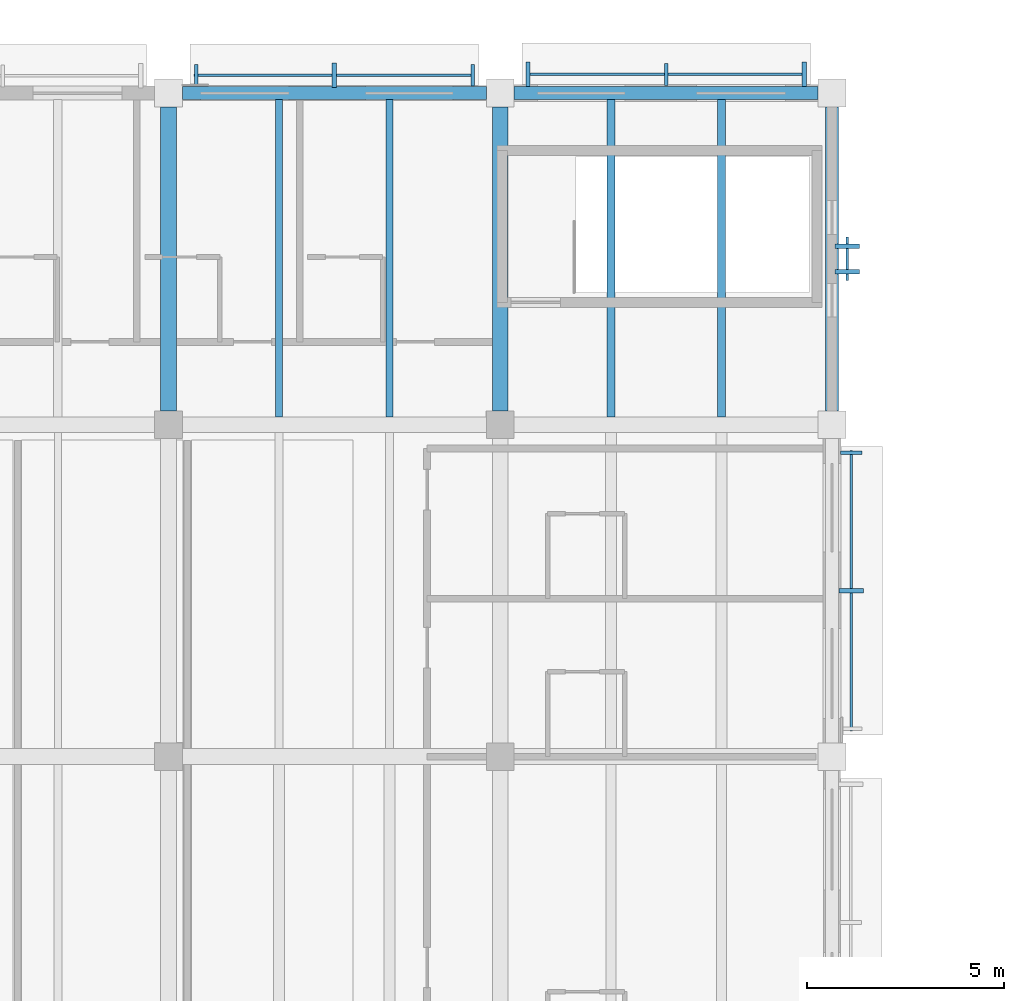
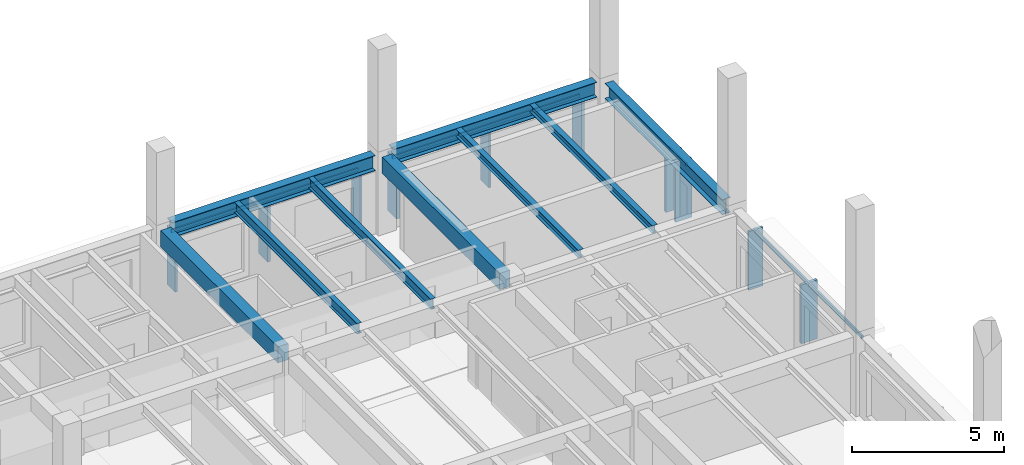
# One storey, part 60 of 123: 14 members, 9 beams, 4 elements without a shape of their own.
"""IFC4 building model written with IfcOpenShell, lengths in metres."""

from ifc_helpers import new_model, si_unit, direction, frame, origin, origin_2d, place, context, subcontext, project, spatial, rectangle, i_section, extrude, material, material_profile, profile_set, type_object, element, aggregate, save


model = new_model("IFC4")

# Units and contexts
model_context = context("Model", 3, precision=1e-05, world=origin(), true_north=direction((0.0, 1.0)))
body_context = subcontext(model_context, "Body", "Model", "MODEL_VIEW")
ifc_project = project(units=[si_unit("LENGTHUNIT", "METRE"), si_unit("AREAUNIT", "SQUARE_METRE"), si_unit("VOLUMEUNIT", "CUBIC_METRE"), si_unit("PLANEANGLEUNIT", "RADIAN"), si_unit("MASSUNIT", "GRAM", prefix="KILO")], contexts=[model_context])

# Site, building, storey
site_placement = place(None, origin())
site = spatial("IfcSite", under=ifc_project, at=site_placement, CompositionType="ELEMENT")
building_placement = place(site_placement, origin())
building = spatial("IfcBuilding", under=site, at=building_placement, Name="Cumbredor Promenade Congress Hotel", CompositionType="ELEMENT")
storey_placement = place(building_placement, frame((0.0, 0.0, 11.760009765625)))
storey = spatial("IfcBuildingStorey", under=building, at=storey_placement, Name="L03", CompositionType="ELEMENT", Elevation=11.760009765625)

# Beams
ifc_material_1 = material(Name="Concrete C40/50", Category="concrete")
ifc_material_profile_1 = material_profile(ifc_material_1, rectangle(XDim=0.39990234375, YDim=0.64990234375, at=origin_2d()), Name="RC BEAM 400x650")
ifc_profile_set_1 = profile_set([ifc_material_profile_1], Name="Concrete C40/50")
beam_type_1 = type_object("IfcBeamType", Name="BM-RC-400x650", PredefinedType="BEAM", material=ifc_profile_set_1)
for number, where, z_axis, x_axis, name in (
    (1, (159.60009765625, 109.550048828125, 2.794921875), (0.0, 1.0, 0.0), (-1.0, 0.0, 0.0), "L04 Y-Grid Beam 216"),
    (2, (168.0, 109.550048828125, 2.794921875), (0.0, 1.0, 0.0), (-1.0, 0.0, 0.0), "L04 Y-Grid Beam 225"),
):
    element("IfcBeam", number, at=place(storey_placement, frame(where, z_axis=z_axis, x_axis=x_axis)), inside=storey, type_object=beam_type_1, Name=name, PredefinedType="BEAM", context=body_context, shape_type="SweptSolid", body=[
        extrude(rectangle(XDim=0.39990234375, YDim=0.64990234375, at=origin_2d()), origin(), (0.0, 0.0, 1.0), 7.699951171875),
    ])
ifc_material_2 = material(Name="Steel ASTM A992 Grade 50", Category="steel")
ifc_material_profile_2 = material_profile(ifc_material_2, i_section(OverallWidth=0.323974609375, OverallDepth=0.611083984375, WebThickness=0.0126953125, FlangeThickness=0.01904296875, at=origin_2d()), Name="W24X104")
ifc_profile_set_2 = profile_set([ifc_material_profile_2], Name="Steel ASTM A992 Grade 50")
beam_type_2 = type_object("IfcBeamType", Name="BM-W24X104", PredefinedType="BEAM", material=ifc_profile_set_2)
for number, where, z_axis, x_axis, name in (
    (3, (159.949951171875, 117.60009765625, 2.814453125), (1.0, 0.0, 0.0), (0.0, 1.0, 0.0), "L04 X-Grid Beam 217"),
    (4, (168.35009765625, 117.60009765625, 2.814453125), (1.0, 0.0, 0.0), (0.0, 1.0, 0.0), "L04 X-Grid Beam 226"),
):
    element("IfcBeam", number, at=place(storey_placement, frame(where, z_axis=z_axis, x_axis=x_axis)), inside=storey, type_object=beam_type_2, Name=name, PredefinedType="BEAM", context=body_context, shape_type="SweptSolid", body=[
        extrude(i_section(OverallWidth=0.323974609375, OverallDepth=0.611083984375, WebThickness=0.0126953125, FlangeThickness=0.01904296875, at=origin_2d()), origin(), (0.0, 0.0, 1.0), 7.699951171875),
    ])

# Curtain wall, member
ifc_material_3 = material(Name="Thermally broken anodized aluminium and low-E glass", Category="aluminium")
curtain_wall_type = type_object("IfcCurtainWallType", Name="Solar Brise-Soleil Screen Assembly CW-07", PredefinedType="NOTDEFINED", material=ifc_material_3)
curtain_wall_1_placement = place(storey_placement, origin())
curtain_wall_1 = element("IfcCurtainWall", 5, at=curtain_wall_1_placement, inside=storey, type_object=curtain_wall_type, Name="L03 Hospitality Brise-Soleil Screen 052", PredefinedType="NOTDEFINED")
ifc_material_4 = material(Name="Thermally broken anodized aluminium", Category="aluminium")
ifc_material_profile_3 = material_profile(ifc_material_4, rectangle(XDim=0.06494140625, YDim=0.1298828125, at=origin_2d()), Name="ALU TRANSOM 65x130")
ifc_profile_set_3 = profile_set([ifc_material_profile_3], Name="Thermally broken anodized aluminium")
member_type_1 = type_object("IfcMemberType", Name="Curtain Wall Transom TR-01", PredefinedType="USERDEFINED", material=ifc_profile_set_3)
member_1_placement = place(storey_placement, frame((160.2509765625, 118.050048828125, 2.31396484375), z_axis=(1.0, 0.0, 0.0), x_axis=(0.0, 1.0, 0.0)))
member_1 = element("IfcMember", 6, at=member_1_placement, type_object=member_type_1, Name="L03 Brise-Soleil Screen Transom 052", ObjectType="TRANSOM", PredefinedType="USERDEFINED", context=body_context, shape_type="SweptSolid", body=[
    extrude(rectangle(XDim=0.06494140625, YDim=0.1298828125, at=origin_2d()), origin(), (0.0, 0.0, 1.0), 7.09814453125),
])

curtain_wall_2_placement = place(storey_placement, origin())
curtain_wall_2 = element("IfcCurtainWall", 7, at=curtain_wall_2_placement, inside=storey, type_object=curtain_wall_type, Name="L03 Hospitality Brise-Soleil Screen 053", PredefinedType="NOTDEFINED")
member_2_placement = place(storey_placement, frame((168.65087890625, 118.072509765625, 2.31396484375), z_axis=(1.0, 0.0, 0.0), x_axis=(0.0, 1.0, 0.0)))
member_2 = element("IfcMember", 8, at=member_2_placement, type_object=member_type_1, Name="L03 Brise-Soleil Screen Transom 053", ObjectType="TRANSOM", PredefinedType="USERDEFINED", context=body_context, shape_type="SweptSolid", body=[
    extrude(rectangle(XDim=0.06494140625, YDim=0.1298828125, at=origin_2d()), origin(), (0.0, 0.0, 1.0), 7.09814453125),
])

curtain_wall_3_placement = place(storey_placement, origin())
curtain_wall_3 = element("IfcCurtainWall", 9, at=curtain_wall_3_placement, inside=storey, type_object=curtain_wall_type, Name="L03 Hospitality Brise-Soleil Screen 055", PredefinedType="NOTDEFINED")
member_3_placement = place(storey_placement, frame((176.885009765625, 101.450927734375, 2.31396484375), z_axis=(0.0, 1.0, 0.0), x_axis=(-1.0, 0.0, 0.0)))
member_3 = element("IfcMember", 10, at=member_3_placement, type_object=member_type_1, Name="L03 Brise-Soleil Screen Transom 055", ObjectType="TRANSOM", PredefinedType="USERDEFINED", context=body_context, shape_type="SweptSolid", body=[
    extrude(rectangle(XDim=0.06494140625, YDim=0.1298828125, at=origin_2d()), origin(), (0.0, 0.0, 1.0), 7.09814453125),
])

curtain_wall_4_placement = place(storey_placement, origin())
curtain_wall_4 = element("IfcCurtainWall", 11, at=curtain_wall_4_placement, inside=storey, type_object=curtain_wall_type, Name="L03 Pier Brise-Soleil Screen 0616", PredefinedType="NOTDEFINED")
member_4_placement = place(storey_placement, frame((176.7900390625, 112.85009765625, 2.333984375), z_axis=(0.0, 1.0, 0.0), x_axis=(-1.0, 0.0, 0.0)))
member_4 = element("IfcMember", 12, at=member_4_placement, type_object=member_type_1, Name="L03 Pier Brise-Soleil Header 0618", ObjectType="TRANSOM", PredefinedType="USERDEFINED", context=body_context, shape_type="SweptSolid", body=[
    extrude(rectangle(XDim=0.06494140625, YDim=0.1298828125, at=origin_2d()), origin(), (0.0, 0.0, 1.0), 1.099853515625),
])

# Beams
ifc_material_profile_4 = material_profile(ifc_material_2, i_section(OverallWidth=0.202880859375, OverallDepth=0.302978515625, WebThickness=0.007568359375, FlangeThickness=0.01318359375, at=origin_2d()), Name="W12X40")
ifc_profile_set_4 = profile_set([ifc_material_profile_4], Name="Steel ASTM A992 Grade 50")
beam_type_3 = type_object("IfcBeamType", Name="JST-W12X40", PredefinedType="JOIST", material=ifc_profile_set_4)
for number, where, z_axis, x_axis, name in (
    (13, (170.800048828125, 109.39990234375, 2.968505859375), (0.0, 1.0, 0.0), (-1.0, 0.0, 0.0), "L04 Secondary Floor Joist 0150"),
    (14, (173.60009765625, 109.39990234375, 2.968505859375), (0.0, 1.0, 0.0), (-1.0, 0.0, 0.0), "L04 Secondary Floor Joist 0151"),
):
    element("IfcBeam", number, at=place(storey_placement, frame(where, z_axis=z_axis, x_axis=x_axis)), inside=storey, type_object=beam_type_3, Name=name, PredefinedType="JOIST", context=body_context, shape_type="SweptSolid", body=[
        extrude(i_section(OverallWidth=0.202880859375, OverallDepth=0.302978515625, WebThickness=0.007568359375, FlangeThickness=0.01318359375, at=origin_2d()), origin(), (0.0, 0.0, 1.0), 8.0380859375),
    ])
ifc_material_profile_5 = material_profile(ifc_material_2, i_section(OverallWidth=0.180908203125, OverallDepth=0.4169921875, WebThickness=0.010986328125, FlangeThickness=0.018310546875, at=origin_2d()), Name="W16X57")
ifc_profile_set_5 = profile_set([ifc_material_profile_5], Name="Steel ASTM A992 Grade 50")
beam_type_4 = type_object("IfcBeamType", Name="JST-W16X57", PredefinedType="JOIST", material=ifc_profile_set_5)
for number, where, z_axis, x_axis, name in (
    (15, (162.39990234375, 109.39990234375, 2.911376953125), (0.0, 1.0, 0.0), (-1.0, 0.0, 0.0), "L04 Secondary Floor Joist 0142"),
    (16, (165.199951171875, 109.39990234375, 2.911376953125), (0.0, 1.0, 0.0), (-1.0, 0.0, 0.0), "L04 Secondary Floor Joist 0143"),
):
    element("IfcBeam", number, at=place(storey_placement, frame(where, z_axis=z_axis, x_axis=x_axis)), inside=storey, type_object=beam_type_4, Name=name, PredefinedType="JOIST", context=body_context, shape_type="SweptSolid", body=[
        extrude(i_section(OverallWidth=0.180908203125, OverallDepth=0.4169921875, WebThickness=0.010986328125, FlangeThickness=0.018310546875, at=origin_2d()), origin(), (0.0, 0.0, 1.0), 8.0380859375),
    ])
ifc_material_profile_6 = material_profile(ifc_material_2, i_section(OverallWidth=0.323974609375, OverallDepth=0.611083984375, WebThickness=0.0126953125, FlangeThickness=0.01904296875, at=origin_2d()), Name="W24X104")
ifc_profile_set_6 = profile_set([ifc_material_profile_6], Name="Steel ASTM A992 Grade 50")
beam_type_5 = type_object("IfcBeamType", Name="SP-W24X104", PredefinedType="SPANDREL", material=ifc_profile_set_6)
beam_placement = place(storey_placement, frame((176.39990234375, 109.550048828125, 2.814453125), z_axis=(0.0, 1.0, 0.0), x_axis=(-1.0, 0.0, 0.0)))
element("IfcBeam", 17, at=beam_placement, inside=storey, type_object=beam_type_5, Name="L04 Y-Grid Beam 230", PredefinedType="SPANDREL", context=body_context, shape_type="SweptSolid", body=[
    extrude(i_section(OverallWidth=0.323974609375, OverallDepth=0.611083984375, WebThickness=0.0126953125, FlangeThickness=0.01904296875, at=origin_2d()), origin(), (0.0, 0.0, 1.0), 7.699951171875),
])

# Member
ifc_material_profile_7 = material_profile(ifc_material_4, rectangle(XDim=0.110107421875, YDim=0.6201171875, at=origin_2d()), Name="ARCH FIN 110x620")
ifc_profile_set_7 = profile_set([ifc_material_profile_7], Name="Thermally broken anodized aluminium")
member_type_2 = type_object("IfcMemberType", Name="Vertical Bronze Brise-Soleil Fin BSF-02 110x620", PredefinedType="USERDEFINED", material=ifc_profile_set_7)
member_5_placement = place(storey_placement, frame((163.800048828125, 118.050048828125, 0.02001953125), z_axis=(0.0, 0.0, 1.0), x_axis=(1.0, 0.0, 0.0)))
member_5 = element("IfcMember", 18, at=member_5_placement, type_object=member_type_2, Name="L03 Vertical Brise-Soleil Fin 0596", ObjectType="SOLAR FIN", PredefinedType="USERDEFINED", context=body_context, shape_type="SweptSolid", body=[
    extrude(rectangle(XDim=0.110107421875, YDim=0.6201171875, at=origin_2d()), origin(), (0.0, 0.0, 1.0), 2.35400390625),
])

member_6_placement = place(storey_placement, frame((168.700927734375, 118.072509765625, 0.02001953125), z_axis=(0.0, 0.0, 1.0), x_axis=(1.0, 0.0, 0.0)))
member_6 = element("IfcMember", 19, at=member_6_placement, type_object=member_type_2, Name="L03 Vertical Brise-Soleil Fin 0598", ObjectType="SOLAR FIN", PredefinedType="USERDEFINED", context=body_context, shape_type="SweptSolid", body=[
    extrude(rectangle(XDim=0.110107421875, YDim=0.6201171875, at=origin_2d()), origin(), (0.0, 0.0, 1.0), 2.35400390625),
])

member_7_placement = place(storey_placement, frame((175.698974609375, 118.072509765625, 0.02001953125), z_axis=(0.0, 0.0, 1.0), x_axis=(1.0, 0.0, 0.0)))
member_7 = element("IfcMember", 20, at=member_7_placement, type_object=member_type_2, Name="L03 Vertical Brise-Soleil Fin 0600", ObjectType="SOLAR FIN", PredefinedType="USERDEFINED", context=body_context, shape_type="SweptSolid", body=[
    extrude(rectangle(XDim=0.110107421875, YDim=0.6201171875, at=origin_2d()), origin(), (0.0, 0.0, 1.0), 2.35400390625),
])

member_8_placement = place(storey_placement, frame((176.885009765625, 105.0, 0.02001953125), z_axis=(0.0, 0.0, 1.0), x_axis=(0.0, 1.0, 0.0)))
member_8 = element("IfcMember", 21, at=member_8_placement, type_object=member_type_2, Name="L03 Vertical Brise-Soleil Fin 0614", ObjectType="SOLAR FIN", PredefinedType="USERDEFINED", context=body_context, shape_type="SweptSolid", body=[
    extrude(rectangle(XDim=0.110107421875, YDim=0.6201171875, at=origin_2d()), origin(), (0.0, 0.0, 1.0), 2.35400390625),
])

member_9_placement = place(storey_placement, frame((176.7900390625, 113.080078125, 0.02001953125), z_axis=(0.0, 0.0, 1.0), x_axis=(0.0, 1.0, 0.0)))
member_9 = element("IfcMember", 22, at=member_9_placement, type_object=member_type_2, Name="L03 Pier Brise-Soleil Fin 0617", ObjectType="SOLAR FIN", PredefinedType="USERDEFINED", context=body_context, shape_type="SweptSolid", body=[
    extrude(rectangle(XDim=0.110107421875, YDim=0.6201171875, at=origin_2d()), origin(), (0.0, 0.0, 1.0), 2.35400390625),
])

member_10_placement = place(storey_placement, frame((176.7900390625, 113.719970703125, 0.02001953125), z_axis=(0.0, 0.0, 1.0), x_axis=(0.0, 1.0, 0.0)))
member_10 = element("IfcMember", 23, at=member_10_placement, type_object=member_type_2, Name="L03 Pier Brise-Soleil Fin 0618", ObjectType="SOLAR FIN", PredefinedType="USERDEFINED", context=body_context, shape_type="SweptSolid", body=[
    extrude(rectangle(XDim=0.110107421875, YDim=0.6201171875, at=origin_2d()), origin(), (0.0, 0.0, 1.0), 2.35400390625),
])

aggregate(curtain_wall_4, [member_9, member_10, member_4])

ifc_material_5 = material(Name="Kiln-dried tropical hardwood", Category="wood")
ifc_material_profile_8 = material_profile(ifc_material_5, rectangle(XDim=0.090087890625, YDim=0.550048828125, at=origin_2d()), Name="ARCH FIN 90x550")
ifc_profile_set_8 = profile_set([ifc_material_profile_8], Name="Kiln-dried tropical hardwood")
member_type_3 = type_object("IfcMemberType", Name="Vertical Hardwood Brise-Soleil Fin BSF-01 90x550", PredefinedType="USERDEFINED", material=ifc_profile_set_8)
member_11_placement = place(storey_placement, frame((160.301025390625, 118.050048828125, 0.02001953125), z_axis=(0.0, 0.0, 1.0), x_axis=(1.0, 0.0, 0.0)))
member_11 = element("IfcMember", 24, at=member_11_placement, type_object=member_type_3, Name="L03 Vertical Brise-Soleil Fin 0595", ObjectType="SOLAR FIN", PredefinedType="USERDEFINED", context=body_context, shape_type="SweptSolid", body=[
    extrude(rectangle(XDim=0.090087890625, YDim=0.550048828125, at=origin_2d()), origin(), (0.0, 0.0, 1.0), 2.35400390625),
])

member_12_placement = place(storey_placement, frame((167.299072265625, 118.050048828125, 0.02001953125), z_axis=(0.0, 0.0, 1.0), x_axis=(1.0, 0.0, 0.0)))
member_12 = element("IfcMember", 25, at=member_12_placement, type_object=member_type_3, Name="L03 Vertical Brise-Soleil Fin 0597", ObjectType="SOLAR FIN", PredefinedType="USERDEFINED", context=body_context, shape_type="SweptSolid", body=[
    extrude(rectangle(XDim=0.090087890625, YDim=0.550048828125, at=origin_2d()), origin(), (0.0, 0.0, 1.0), 2.35400390625),
])

aggregate(curtain_wall_1, [member_1, member_11, member_5, member_12])

member_13_placement = place(storey_placement, frame((172.199951171875, 118.072509765625, 0.02001953125), z_axis=(0.0, 0.0, 1.0), x_axis=(1.0, 0.0, 0.0)))
member_13 = element("IfcMember", 26, at=member_13_placement, type_object=member_type_3, Name="L03 Vertical Brise-Soleil Fin 0599", ObjectType="SOLAR FIN", PredefinedType="USERDEFINED", context=body_context, shape_type="SweptSolid", body=[
    extrude(rectangle(XDim=0.090087890625, YDim=0.550048828125, at=origin_2d()), origin(), (0.0, 0.0, 1.0), 2.35400390625),
])

aggregate(curtain_wall_2, [member_2, member_6, member_13, member_7])

member_14_placement = place(storey_placement, frame((176.885009765625, 108.4990234375, 0.02001953125), z_axis=(0.0, 0.0, 1.0), x_axis=(0.0, 1.0, 0.0)))
member_14 = element("IfcMember", 27, at=member_14_placement, type_object=member_type_3, Name="L03 Vertical Brise-Soleil Fin 0615", ObjectType="SOLAR FIN", PredefinedType="USERDEFINED", context=body_context, shape_type="SweptSolid", body=[
    extrude(rectangle(XDim=0.090087890625, YDim=0.550048828125, at=origin_2d()), origin(), (0.0, 0.0, 1.0), 2.35400390625),
])

aggregate(curtain_wall_3, [member_3, member_8, member_14])

save(model, "model.ifc")
